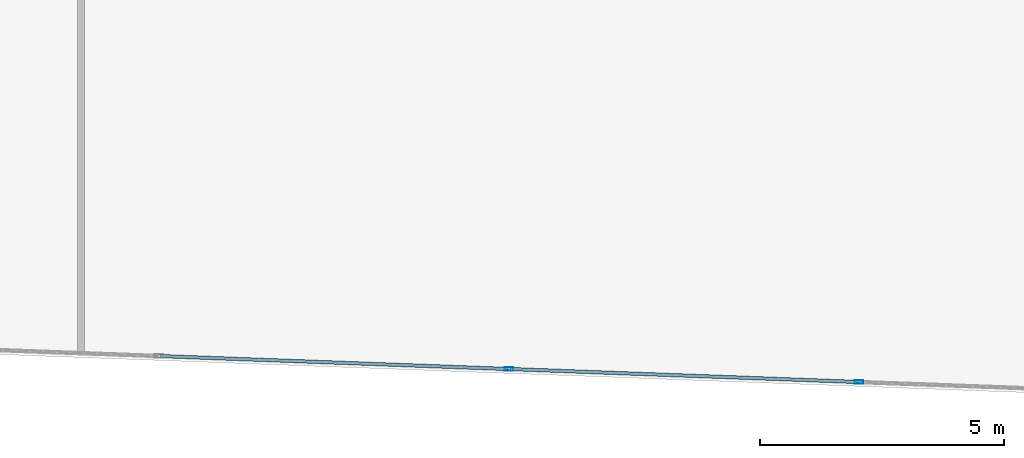
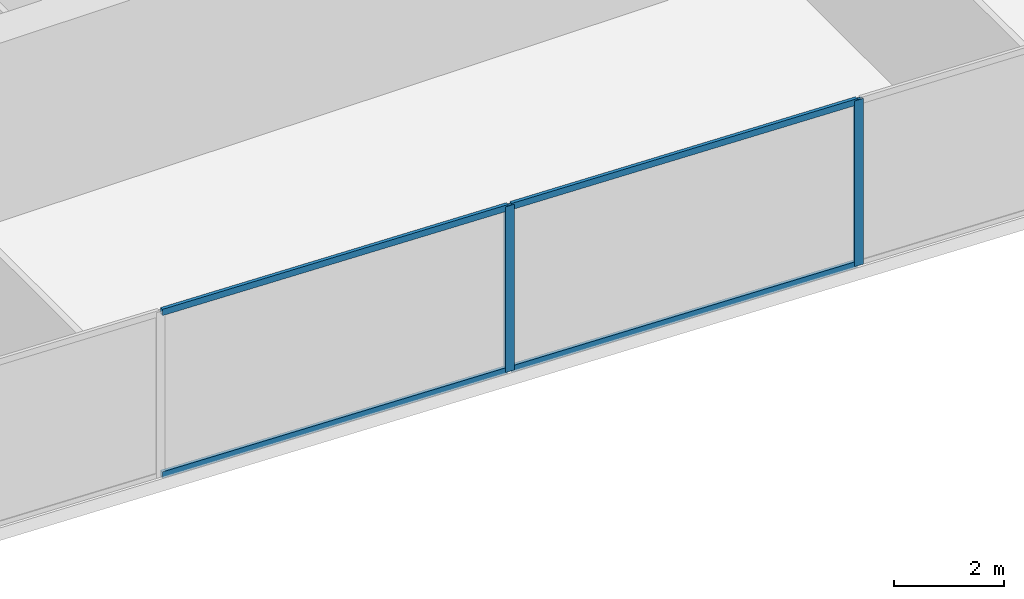
# One storey, part 6 of 30: 6 members, 1 element without a shape of its own.
"""IFC4 building model written with IfcOpenShell, lengths in metres."""

from ifc_helpers import new_model, si_unit, direction, frame, origin, origin_2d, place, context, subcontext, project, spatial, hollow_rectangle, extrude, source, transform, mapped, material, material_profile, profile_set, type_object, type_shapes, element, aggregate, save


model = new_model("IFC4")

# Units and contexts
model_context = context("Model", 3, precision=1e-05, world=origin(), true_north=direction((0.0, 1.0)))
body_context = subcontext(model_context, "Body", "Model", "MODEL_VIEW")
ifc_project = project(units=[si_unit("LENGTHUNIT", "METRE"), si_unit("AREAUNIT", "SQUARE_METRE"), si_unit("VOLUMEUNIT", "CUBIC_METRE"), si_unit("PLANEANGLEUNIT", "RADIAN"), si_unit("MASSUNIT", "GRAM", prefix="KILO")], contexts=[model_context])

# Site, building, storey
site_placement = place(None, origin())
site = spatial("IfcSite", under=ifc_project, at=site_placement, CompositionType="ELEMENT")
building_placement = place(site_placement, origin())
building = spatial("IfcBuilding", under=site, at=building_placement, Name="Krantzveldt Concourse Tower", CompositionType="ELEMENT")
storey_placement = place(building_placement, frame((0.0, 0.0, 40.800048828125)))
storey = spatial("IfcBuildingStorey", under=building, at=storey_placement, Name="L09", CompositionType="ELEMENT", Elevation=40.800048828125)

# Curtain wall, members
ifc_material = material(Name="Anodised aluminium 6063-T6", Category="aluminium")
curtain_wall_type = type_object("IfcCurtainWallType", Name="CW2", PredefinedType="USERDEFINED", material=ifc_material)
curtain_wall_placement = place(storey_placement, origin())
curtain_wall = element("IfcCurtainWall", 1, at=curtain_wall_placement, inside=storey, type_object=curtain_wall_type, Name="CW-L09-F04", ObjectType="UNITISED CURTAIN WALL", PredefinedType="USERDEFINED")
ifc_material_profile_1 = material_profile(ifc_material, hollow_rectangle(XDim=0.070068359375, YDim=0.179931640625, WallThickness=0.0048828125, at=origin_2d()), Name="Anodised aluminium 6063-T6", Category="aluminium")
ifc_profile_set_1 = profile_set([ifc_material_profile_1], Name="Anodised aluminium 6063-T6 - ALU-MULL 180x70x5")
member_type_1 = type_object("IfcMemberType", Name="CW-MUL-180", PredefinedType="MULLION", material=ifc_profile_set_1)
shared_shape_1 = source(origin(), body_context, "Body", "SweptSolid", [
    extrude(hollow_rectangle(XDim=0.070068359375, YDim=0.179931640625, WallThickness=0.0048828125, at=origin_2d()), origin(), (0.0, 0.0, 1.0), 3.669921875),
])
type_shapes(member_type_1, [shared_shape_1])
member_1_placement = place(storey_placement, frame((35.076416015625, 1.80712890625, 0.0), z_axis=(0.0, 0.0, 1.0), x_axis=(0.037079766834, 0.999312308986, 0.0)))
member_1 = element("IfcMember", 2, at=member_1_placement, type_object=member_type_1, Name="CW-Z12 mullion 4", PredefinedType="MULLION", context=body_context, shape_type="MappedRepresentation", body=[
    mapped(shared_shape_1, transform((0.0, 0.0, 0.0), x_axis=(1.0, 0.0, 0.0), y_axis=(0.0, 1.0, 0.0), z_axis=(0.0, 0.0, 1.0), scale=1.0)),
])
member_2_placement = place(storey_placement, frame((42.238037109375, 1.54150390625, 0.0), z_axis=(0.0, 0.0, 1.0), x_axis=(0.037079766834, 0.999312308986, 0.0)))
member_2 = element("IfcMember", 3, at=member_2_placement, type_object=member_type_1, Name="CW-Z12 mullion 5", PredefinedType="MULLION", context=body_context, shape_type="MappedRepresentation", body=[
    mapped(shared_shape_1, transform((0.0, 0.0, 0.0), x_axis=(1.0, 0.0, 0.0), y_axis=(0.0, 1.0, 0.0), z_axis=(0.0, 0.0, 1.0), scale=1.0)),
])
ifc_material_profile_2 = material_profile(ifc_material, hollow_rectangle(XDim=0.070068359375, YDim=0.139892578125, WallThickness=0.0048828125, at=origin_2d()), Name="Anodised aluminium 6063-T6", Category="aluminium")
ifc_profile_set_2 = profile_set([ifc_material_profile_2], Name="Anodised aluminium 6063-T6 - ALU-TRAN 140x70x5")
member_type_2 = type_object("IfcMemberType", Name="CW-TRN-150", PredefinedType="USERDEFINED", material=ifc_profile_set_2)
shared_shape_2 = source(origin(), body_context, "Body", "SweptSolid", [
    extrude(hollow_rectangle(XDim=0.070068359375, YDim=0.139892578125, WallThickness=0.0048828125, at=origin_2d()), origin(), (0.0, 0.0, 1.0), 7.0966796875),
])
type_shapes(member_type_2, [shared_shape_2])
member_3_placement = place(storey_placement, frame((27.949462890625, 2.071533203125, 0.034912109375), z_axis=(0.999312097724, -0.037085459975, 0.0), x_axis=(0.037085459975, 0.999312097724, 0.0)))
member_3 = element("IfcMember", 4, at=member_3_placement, type_object=member_type_2, Name="CW-Z12 transom 3.1", ObjectType="TRANSOM", PredefinedType="USERDEFINED", context=body_context, shape_type="MappedRepresentation", body=[
    mapped(shared_shape_2, transform((0.0, 0.0, 0.0), x_axis=(1.0, 0.0, 0.0), y_axis=(0.0, 1.0, 0.0), z_axis=(0.0, 0.0, 1.0), scale=1.0)),
])
member_4_placement = place(storey_placement, frame((27.949462890625, 2.071533203125, 3.635009765625), z_axis=(0.999312097724, -0.037085459975, 0.0), x_axis=(0.037085459975, 0.999312097724, 0.0)))
member_4 = element("IfcMember", 5, at=member_4_placement, type_object=member_type_2, Name="CW-Z12 transom 3.2", ObjectType="TRANSOM", PredefinedType="USERDEFINED", context=body_context, shape_type="MappedRepresentation", body=[
    mapped(shared_shape_2, transform((0.0, 0.0, 0.0), x_axis=(1.0, 0.0, 0.0), y_axis=(0.0, 1.0, 0.0), z_axis=(0.0, 0.0, 1.0), scale=1.0)),
])
member_5_placement = place(storey_placement, frame((35.111328125, 1.805908203125, 0.034912109375), z_axis=(0.999312097724, -0.037085459975, 0.0), x_axis=(0.037085459975, 0.999312097724, 0.0)))
member_5 = element("IfcMember", 6, at=member_5_placement, type_object=member_type_2, Name="CW-Z12 transom 4.1", ObjectType="TRANSOM", PredefinedType="USERDEFINED", context=body_context, shape_type="MappedRepresentation", body=[
    mapped(shared_shape_2, transform((0.0, 0.0, 0.0), x_axis=(1.0, 0.0, 0.0), y_axis=(0.0, 1.0, 0.0), z_axis=(0.0, 0.0, 1.0), scale=1.0)),
])
member_6_placement = place(storey_placement, frame((35.111328125, 1.805908203125, 3.635009765625), z_axis=(0.999312097724, -0.037085459975, 0.0), x_axis=(0.037085459975, 0.999312097724, 0.0)))
member_6 = element("IfcMember", 7, at=member_6_placement, type_object=member_type_2, Name="CW-Z12 transom 4.2", ObjectType="TRANSOM", PredefinedType="USERDEFINED", context=body_context, shape_type="MappedRepresentation", body=[
    mapped(shared_shape_2, transform((0.0, 0.0, 0.0), x_axis=(1.0, 0.0, 0.0), y_axis=(0.0, 1.0, 0.0), z_axis=(0.0, 0.0, 1.0), scale=1.0)),
])
aggregate(curtain_wall, [member_1, member_2, member_3, member_4, member_5, member_6])

save(model, "model.ifc")
